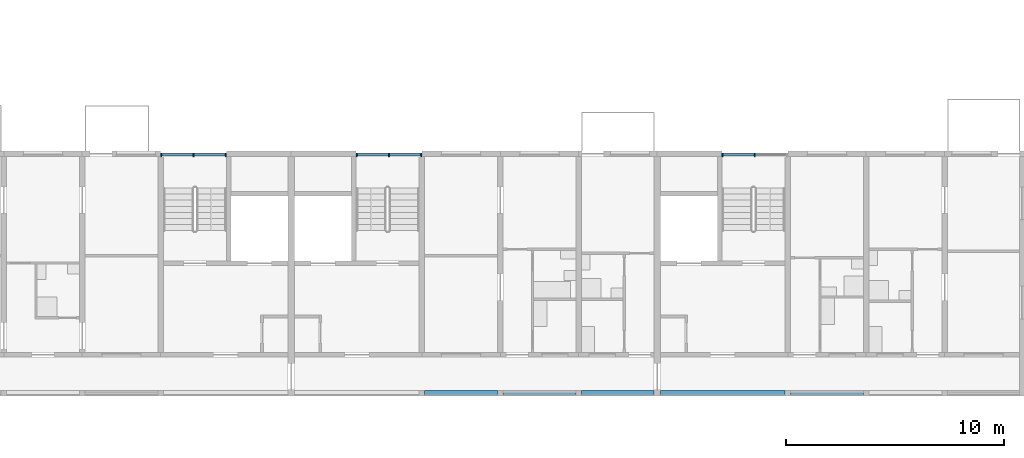
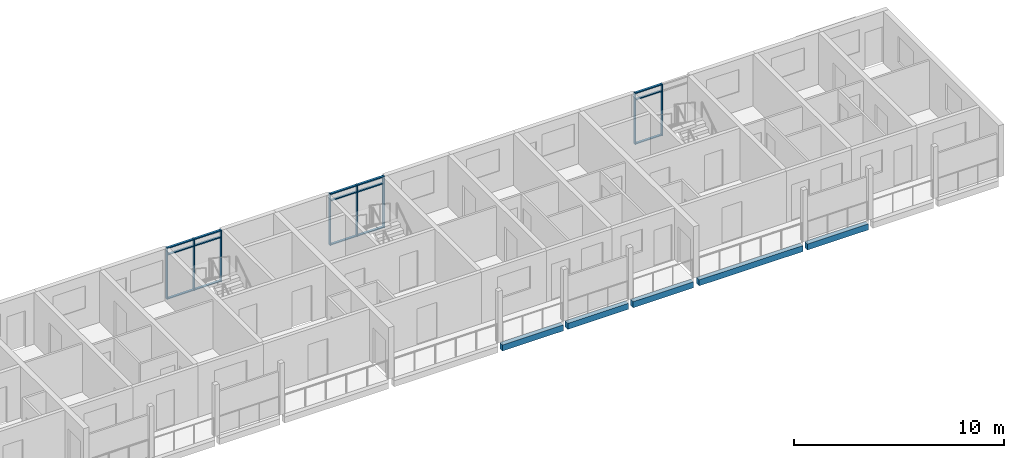
# One storey, part 18 of 100: 23 members, 5 beams, 3 elements without a shape of their own.
"""IFC4 building model written with IfcOpenShell, lengths in metres."""

from ifc_helpers import new_model, si_unit, direction, frame, origin, origin_2d, place, context, subcontext, project, spatial, rectangle, extrude, material, material_profile, profile_set, type_object, element, aggregate, save


model = new_model("IFC4")

# Units and contexts
model_context = context("Model", 3, precision=1e-05, world=origin(), true_north=direction((0.0, 1.0)))
body_context = subcontext(model_context, "Body", "Model", "MODEL_VIEW")
ifc_project = project(units=[si_unit("LENGTHUNIT", "METRE"), si_unit("AREAUNIT", "SQUARE_METRE"), si_unit("VOLUMEUNIT", "CUBIC_METRE"), si_unit("PLANEANGLEUNIT", "RADIAN"), si_unit("MASSUNIT", "GRAM", prefix="KILO")], contexts=[model_context])

# Site, building, storey
site_placement = place(None, origin())
site = spatial("IfcSite", under=ifc_project, at=site_placement, CompositionType="ELEMENT")
building_placement = place(site_placement, origin())
building = spatial("IfcBuilding", under=site, at=building_placement, Name="Ridgestep Commons", CompositionType="ELEMENT")
storey_placement = place(building_placement, frame((0.0, 0.0, 9.0)))
storey = spatial("IfcBuildingStorey", under=building, at=storey_placement, Name="L03", CompositionType="ELEMENT", Elevation=9.0)

# Beams
ifc_material_1 = material(Name="Precast concrete C40/50", Category="concrete")
ifc_material_profile_1 = material_profile(ifc_material_1, rectangle(XDim=0.25, YDim=0.35009765625, at=origin_2d()), Name="PC 250x350")
ifc_profile_set_1 = profile_set([ifc_material_profile_1], Name="Precast concrete C40/50")
beam_type = type_object("IfcBeamType", Name="Loggia edge beam 250 x 350", PredefinedType="SPANDREL", material=ifc_profile_set_1)
beam_1_placement = place(storey_placement, frame((220.125, 11.875, -0.375), z_axis=(1.0, 0.0, 0.0), x_axis=(0.0, 1.0, 0.0)))
element("IfcBeam", 1, at=beam_1_placement, inside=storey, type_object=beam_type, Name="Loggia edge beam D5T3 L03", PredefinedType="SPANDREL", context=body_context, shape_type="SweptSolid", body=[
    extrude(rectangle(XDim=0.25, YDim=0.35009765625, at=origin_2d()), origin(), (0.0, 0.0, 1.0), 3.35009765625),
])
beam_2_placement = place(storey_placement, frame((223.72509765625, 11.875, -0.375), z_axis=(1.0, 0.0, 0.0), x_axis=(0.0, 1.0, 0.0)))
element("IfcBeam", 2, at=beam_2_placement, inside=storey, type_object=beam_type, Name="Loggia edge beam D5T2 L03", PredefinedType="SPANDREL", context=body_context, shape_type="SweptSolid", body=[
    extrude(rectangle(XDim=0.25, YDim=0.35009765625, at=origin_2d()), origin(), (0.0, 0.0, 1.0), 3.349853515625),
])
beam_3_placement = place(storey_placement, frame((227.324951171875, 11.875, -0.375), z_axis=(1.0, 0.0, 0.0), x_axis=(0.0, 1.0, 0.0)))
element("IfcBeam", 3, at=beam_3_placement, inside=storey, type_object=beam_type, Name="Loggia edge beam D5T1 L03", PredefinedType="SPANDREL", context=body_context, shape_type="SweptSolid", body=[
    extrude(rectangle(XDim=0.25, YDim=0.35009765625, at=origin_2d()), origin(), (0.0, 0.0, 1.0), 3.324951171875),
])
beam_4_placement = place(storey_placement, frame((230.949951171875, 11.875, -0.375), z_axis=(1.0, 0.0, 0.0), x_axis=(0.0, 1.0, 0.0)))
element("IfcBeam", 4, at=beam_4_placement, inside=storey, type_object=beam_type, Name="Loggia edge beam D6C L03", PredefinedType="SPANDREL", context=body_context, shape_type="SweptSolid", body=[
    extrude(rectangle(XDim=0.25, YDim=0.35009765625, at=origin_2d()), origin(), (0.0, 0.0, 1.0), 5.72509765625),
])
beam_5_placement = place(storey_placement, frame((236.925048828125, 11.875, -0.375), z_axis=(1.0, 0.0, 0.0), x_axis=(0.0, 1.0, 0.0)))
element("IfcBeam", 5, at=beam_5_placement, inside=storey, type_object=beam_type, Name="Loggia edge beam D6T3 L03", PredefinedType="SPANDREL", context=body_context, shape_type="SweptSolid", body=[
    extrude(rectangle(XDim=0.25, YDim=0.35009765625, at=origin_2d()), origin(), (0.0, 0.0, 1.0), 3.349853515625),
])

# Curtain wall, members
ifc_material_2 = material(Name="Aluminium 6063-T6 and glass", Category="aluminium")
curtain_wall_type = type_object("IfcCurtainWallType", Name="Curtain wall stair strip", PredefinedType="NOTDEFINED", material=ifc_material_2)
curtain_wall_1_placement = place(storey_placement, origin())
curtain_wall_1 = element("IfcCurtainWall", 6, at=curtain_wall_1_placement, inside=storey, type_object=curtain_wall_type, Name="Curtain wall D4C level 03", PredefinedType="NOTDEFINED")
ifc_material_3 = material(Name="Aluminium 6063-T6", Category="aluminium")
ifc_material_profile_2 = material_profile(ifc_material_3, rectangle(XDim=0.159912109375, YDim=0.06005859375, at=origin_2d()), Name="Mullion 60 x 160")
ifc_profile_set_2 = profile_set([ifc_material_profile_2], Name="Aluminium 6063-T6")
member_type_1 = type_object("IfcMemberType", Name="Mullion 60 x 160", PredefinedType="MULLION", material=ifc_profile_set_2)
member_1_placement = place(storey_placement, frame((208.030029296875, 22.830078125, 0.0), z_axis=(0.0, 0.0, 1.0), x_axis=(0.0, 1.0, 0.0)))
member_1 = element("IfcMember", 7, at=member_1_placement, type_object=member_type_1, Name="CW1 mullion 1", PredefinedType="MULLION", context=body_context, shape_type="SweptSolid", body=[
    extrude(rectangle(XDim=0.159912109375, YDim=0.06005859375, at=origin_2d()), origin(), (0.0, 0.0, 1.0), 3.0),
])
member_2_placement = place(storey_placement, frame((209.512451171875, 22.830078125, 0.0), z_axis=(0.0, 0.0, 1.0), x_axis=(0.0, 1.0, 0.0)))
member_2 = element("IfcMember", 8, at=member_2_placement, type_object=member_type_1, Name="CW1 mullion 2", PredefinedType="MULLION", context=body_context, shape_type="SweptSolid", body=[
    extrude(rectangle(XDim=0.159912109375, YDim=0.06005859375, at=origin_2d()), origin(), (0.0, 0.0, 1.0), 3.0),
])
member_3_placement = place(storey_placement, frame((210.9951171875, 22.830078125, 0.0), z_axis=(0.0, 0.0, 1.0), x_axis=(0.0, 1.0, 0.0)))
member_3 = element("IfcMember", 9, at=member_3_placement, type_object=member_type_1, Name="CW1 mullion 3", PredefinedType="MULLION", context=body_context, shape_type="SweptSolid", body=[
    extrude(rectangle(XDim=0.159912109375, YDim=0.06005859375, at=origin_2d()), origin(), (0.0, 0.0, 1.0), 3.0),
])

curtain_wall_2_placement = place(storey_placement, origin())
curtain_wall_2 = element("IfcCurtainWall", 10, at=curtain_wall_2_placement, inside=storey, type_object=curtain_wall_type, Name="Curtain wall D5C level 03", PredefinedType="NOTDEFINED")
member_4_placement = place(storey_placement, frame((217.0048828125, 22.830078125, 0.0), z_axis=(0.0, 0.0, 1.0), x_axis=(0.0, 1.0, 0.0)))
member_4 = element("IfcMember", 11, at=member_4_placement, type_object=member_type_1, Name="CW1 mullion 1", PredefinedType="MULLION", context=body_context, shape_type="SweptSolid", body=[
    extrude(rectangle(XDim=0.159912109375, YDim=0.06005859375, at=origin_2d()), origin(), (0.0, 0.0, 1.0), 3.0),
])
member_5_placement = place(storey_placement, frame((218.487548828125, 22.830078125, 0.0), z_axis=(0.0, 0.0, 1.0), x_axis=(0.0, 1.0, 0.0)))
member_5 = element("IfcMember", 12, at=member_5_placement, type_object=member_type_1, Name="CW1 mullion 2", PredefinedType="MULLION", context=body_context, shape_type="SweptSolid", body=[
    extrude(rectangle(XDim=0.159912109375, YDim=0.06005859375, at=origin_2d()), origin(), (0.0, 0.0, 1.0), 3.0),
])
member_6_placement = place(storey_placement, frame((219.969970703125, 22.830078125, 0.0), z_axis=(0.0, 0.0, 1.0), x_axis=(0.0, 1.0, 0.0)))
member_6 = element("IfcMember", 13, at=member_6_placement, type_object=member_type_1, Name="CW1 mullion 3", PredefinedType="MULLION", context=body_context, shape_type="SweptSolid", body=[
    extrude(rectangle(XDim=0.159912109375, YDim=0.06005859375, at=origin_2d()), origin(), (0.0, 0.0, 1.0), 3.0),
])

curtain_wall_3_placement = place(storey_placement, origin())
curtain_wall_3 = element("IfcCurtainWall", 14, at=curtain_wall_3_placement, inside=storey, type_object=curtain_wall_type, Name="Curtain wall D6C level 03", PredefinedType="NOTDEFINED")
member_7_placement = place(storey_placement, frame((233.804931640625, 22.830078125, 0.0), z_axis=(0.0, 0.0, 1.0), x_axis=(0.0, 1.0, 0.0)))
member_7 = element("IfcMember", 15, at=member_7_placement, type_object=member_type_1, Name="CW1 mullion 1", PredefinedType="MULLION", context=body_context, shape_type="SweptSolid", body=[
    extrude(rectangle(XDim=0.159912109375, YDim=0.06005859375, at=origin_2d()), origin(), (0.0, 0.0, 1.0), 3.0),
])
member_8_placement = place(storey_placement, frame((235.28759765625, 22.830078125, 0.0), z_axis=(0.0, 0.0, 1.0), x_axis=(0.0, 1.0, 0.0)))
member_8 = element("IfcMember", 16, at=member_8_placement, type_object=member_type_1, Name="CW1 mullion 2", PredefinedType="MULLION", context=body_context, shape_type="SweptSolid", body=[
    extrude(rectangle(XDim=0.159912109375, YDim=0.06005859375, at=origin_2d()), origin(), (0.0, 0.0, 1.0), 3.0),
])

# Member
ifc_material_4 = material(Name="Aluminium 6063-T6", Category="aluminium")
ifc_material_profile_3 = material_profile(ifc_material_4, rectangle(XDim=0.1201171875, YDim=0.06005859375, at=origin_2d()), Name="Transom 60 x 120")
ifc_profile_set_3 = profile_set([ifc_material_profile_3], Name="Aluminium 6063-T6")
member_type_2 = type_object("IfcMemberType", Name="Transom 60 x 120", PredefinedType="USERDEFINED", material=ifc_profile_set_3)
member_9_placement = place(storey_placement, frame((208.06005859375, 22.830078125, 0.030029296875), z_axis=(1.0, 0.0, 0.0), x_axis=(0.0, 1.0, 0.0)))
member_9 = element("IfcMember", 17, at=member_9_placement, type_object=member_type_2, Name="CW1 transom 1.1", ObjectType="TRANSOM", PredefinedType="USERDEFINED", context=body_context, shape_type="SweptSolid", body=[
    extrude(rectangle(XDim=0.1201171875, YDim=0.06005859375, at=origin_2d()), origin(), (0.0, 0.0, 1.0), 1.42236328125),
])

member_10_placement = place(storey_placement, frame((208.06005859375, 22.830078125, 2.590087890625), z_axis=(1.0, 0.0, 0.0), x_axis=(0.0, 1.0, 0.0)))
member_10 = element("IfcMember", 18, at=member_10_placement, type_object=member_type_2, Name="CW1 transom 1.2", ObjectType="TRANSOM", PredefinedType="USERDEFINED", context=body_context, shape_type="SweptSolid", body=[
    extrude(rectangle(XDim=0.1201171875, YDim=0.06005859375, at=origin_2d()), origin(), (0.0, 0.0, 1.0), 1.42236328125),
])

member_11_placement = place(storey_placement, frame((208.06005859375, 22.830078125, 2.969970703125), z_axis=(1.0, 0.0, 0.0), x_axis=(0.0, 1.0, 0.0)))
member_11 = element("IfcMember", 19, at=member_11_placement, type_object=member_type_2, Name="CW1 transom 1.3", ObjectType="TRANSOM", PredefinedType="USERDEFINED", context=body_context, shape_type="SweptSolid", body=[
    extrude(rectangle(XDim=0.1201171875, YDim=0.06005859375, at=origin_2d()), origin(), (0.0, 0.0, 1.0), 1.42236328125),
])

member_12_placement = place(storey_placement, frame((209.54248046875, 22.830078125, 0.030029296875), z_axis=(1.0, 0.0, 0.0), x_axis=(0.0, 1.0, 0.0)))
member_12 = element("IfcMember", 20, at=member_12_placement, type_object=member_type_2, Name="CW1 transom 2.1", ObjectType="TRANSOM", PredefinedType="USERDEFINED", context=body_context, shape_type="SweptSolid", body=[
    extrude(rectangle(XDim=0.1201171875, YDim=0.06005859375, at=origin_2d()), origin(), (0.0, 0.0, 1.0), 1.422607421875),
])

member_13_placement = place(storey_placement, frame((209.54248046875, 22.830078125, 2.590087890625), z_axis=(1.0, 0.0, 0.0), x_axis=(0.0, 1.0, 0.0)))
member_13 = element("IfcMember", 21, at=member_13_placement, type_object=member_type_2, Name="CW1 transom 2.2", ObjectType="TRANSOM", PredefinedType="USERDEFINED", context=body_context, shape_type="SweptSolid", body=[
    extrude(rectangle(XDim=0.1201171875, YDim=0.06005859375, at=origin_2d()), origin(), (0.0, 0.0, 1.0), 1.422607421875),
])

member_14_placement = place(storey_placement, frame((209.54248046875, 22.830078125, 2.969970703125), z_axis=(1.0, 0.0, 0.0), x_axis=(0.0, 1.0, 0.0)))
member_14 = element("IfcMember", 22, at=member_14_placement, type_object=member_type_2, Name="CW1 transom 2.3", ObjectType="TRANSOM", PredefinedType="USERDEFINED", context=body_context, shape_type="SweptSolid", body=[
    extrude(rectangle(XDim=0.1201171875, YDim=0.06005859375, at=origin_2d()), origin(), (0.0, 0.0, 1.0), 1.422607421875),
])

aggregate(curtain_wall_1, [member_1, member_2, member_3, member_9, member_10, member_11, member_12, member_13, member_14])

member_15_placement = place(storey_placement, frame((217.034912109375, 22.830078125, 0.030029296875), z_axis=(1.0, 0.0, 0.0), x_axis=(0.0, 1.0, 0.0)))
member_15 = element("IfcMember", 23, at=member_15_placement, type_object=member_type_2, Name="CW1 transom 1.1", ObjectType="TRANSOM", PredefinedType="USERDEFINED", context=body_context, shape_type="SweptSolid", body=[
    extrude(rectangle(XDim=0.1201171875, YDim=0.06005859375, at=origin_2d()), origin(), (0.0, 0.0, 1.0), 1.422607421875),
])

member_16_placement = place(storey_placement, frame((217.034912109375, 22.830078125, 2.590087890625), z_axis=(1.0, 0.0, 0.0), x_axis=(0.0, 1.0, 0.0)))
member_16 = element("IfcMember", 24, at=member_16_placement, type_object=member_type_2, Name="CW1 transom 1.2", ObjectType="TRANSOM", PredefinedType="USERDEFINED", context=body_context, shape_type="SweptSolid", body=[
    extrude(rectangle(XDim=0.1201171875, YDim=0.06005859375, at=origin_2d()), origin(), (0.0, 0.0, 1.0), 1.422607421875),
])

member_17_placement = place(storey_placement, frame((217.034912109375, 22.830078125, 2.969970703125), z_axis=(1.0, 0.0, 0.0), x_axis=(0.0, 1.0, 0.0)))
member_17 = element("IfcMember", 25, at=member_17_placement, type_object=member_type_2, Name="CW1 transom 1.3", ObjectType="TRANSOM", PredefinedType="USERDEFINED", context=body_context, shape_type="SweptSolid", body=[
    extrude(rectangle(XDim=0.1201171875, YDim=0.06005859375, at=origin_2d()), origin(), (0.0, 0.0, 1.0), 1.422607421875),
])

member_18_placement = place(storey_placement, frame((218.517578125, 22.830078125, 0.030029296875), z_axis=(1.0, 0.0, 0.0), x_axis=(0.0, 1.0, 0.0)))
member_18 = element("IfcMember", 26, at=member_18_placement, type_object=member_type_2, Name="CW1 transom 2.1", ObjectType="TRANSOM", PredefinedType="USERDEFINED", context=body_context, shape_type="SweptSolid", body=[
    extrude(rectangle(XDim=0.1201171875, YDim=0.06005859375, at=origin_2d()), origin(), (0.0, 0.0, 1.0), 1.42236328125),
])

member_19_placement = place(storey_placement, frame((218.517578125, 22.830078125, 2.590087890625), z_axis=(1.0, 0.0, 0.0), x_axis=(0.0, 1.0, 0.0)))
member_19 = element("IfcMember", 27, at=member_19_placement, type_object=member_type_2, Name="CW1 transom 2.2", ObjectType="TRANSOM", PredefinedType="USERDEFINED", context=body_context, shape_type="SweptSolid", body=[
    extrude(rectangle(XDim=0.1201171875, YDim=0.06005859375, at=origin_2d()), origin(), (0.0, 0.0, 1.0), 1.42236328125),
])

member_20_placement = place(storey_placement, frame((218.517578125, 22.830078125, 2.969970703125), z_axis=(1.0, 0.0, 0.0), x_axis=(0.0, 1.0, 0.0)))
member_20 = element("IfcMember", 28, at=member_20_placement, type_object=member_type_2, Name="CW1 transom 2.3", ObjectType="TRANSOM", PredefinedType="USERDEFINED", context=body_context, shape_type="SweptSolid", body=[
    extrude(rectangle(XDim=0.1201171875, YDim=0.06005859375, at=origin_2d()), origin(), (0.0, 0.0, 1.0), 1.42236328125),
])

aggregate(curtain_wall_2, [member_4, member_5, member_6, member_15, member_16, member_17, member_18, member_19, member_20])

member_21_placement = place(storey_placement, frame((233.8349609375, 22.830078125, 0.030029296875), z_axis=(1.0, 0.0, 0.0), x_axis=(0.0, 1.0, 0.0)))
member_21 = element("IfcMember", 29, at=member_21_placement, type_object=member_type_2, Name="CW1 transom 1.1", ObjectType="TRANSOM", PredefinedType="USERDEFINED", context=body_context, shape_type="SweptSolid", body=[
    extrude(rectangle(XDim=0.1201171875, YDim=0.06005859375, at=origin_2d()), origin(), (0.0, 0.0, 1.0), 1.422607421875),
])

member_22_placement = place(storey_placement, frame((233.8349609375, 22.830078125, 2.590087890625), z_axis=(1.0, 0.0, 0.0), x_axis=(0.0, 1.0, 0.0)))
member_22 = element("IfcMember", 30, at=member_22_placement, type_object=member_type_2, Name="CW1 transom 1.2", ObjectType="TRANSOM", PredefinedType="USERDEFINED", context=body_context, shape_type="SweptSolid", body=[
    extrude(rectangle(XDim=0.1201171875, YDim=0.06005859375, at=origin_2d()), origin(), (0.0, 0.0, 1.0), 1.422607421875),
])

member_23_placement = place(storey_placement, frame((233.8349609375, 22.830078125, 2.969970703125), z_axis=(1.0, 0.0, 0.0), x_axis=(0.0, 1.0, 0.0)))
member_23 = element("IfcMember", 31, at=member_23_placement, type_object=member_type_2, Name="CW1 transom 1.3", ObjectType="TRANSOM", PredefinedType="USERDEFINED", context=body_context, shape_type="SweptSolid", body=[
    extrude(rectangle(XDim=0.1201171875, YDim=0.06005859375, at=origin_2d()), origin(), (0.0, 0.0, 1.0), 1.422607421875),
])

aggregate(curtain_wall_3, [member_7, member_8, member_21, member_22, member_23])

save(model, "model.ifc")
